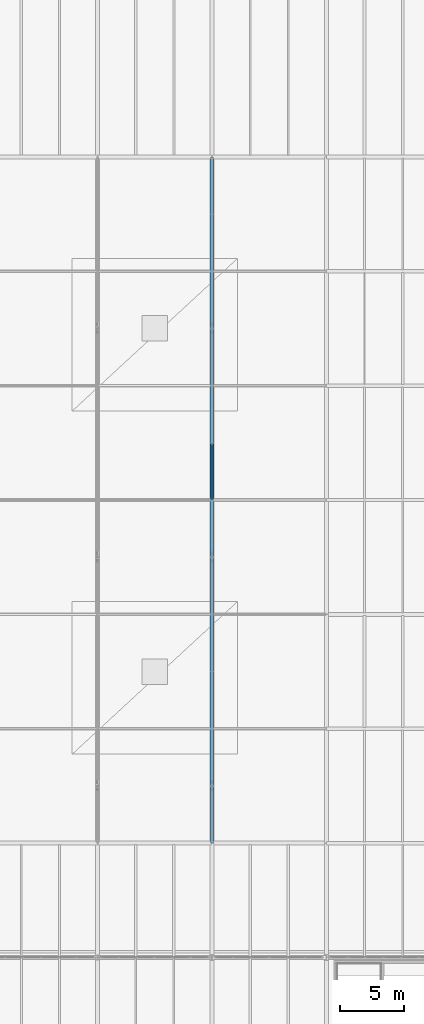
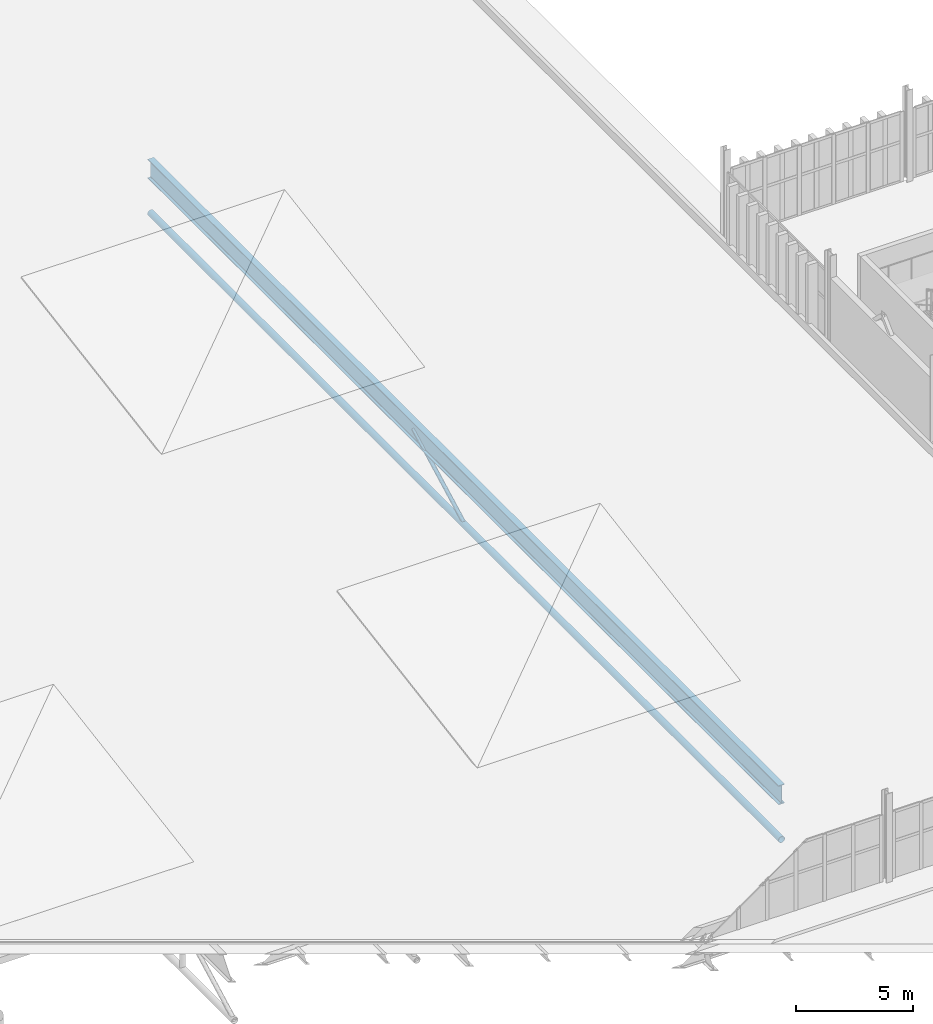
# One storey, part 87 of 196: 2 members, 1 beam.
"""IFC4 building model written with IfcOpenShell, lengths in metres."""

from ifc_helpers import new_model, si_unit, direction, frame, origin, origin_2d, place, context, subcontext, project, spatial, hollow_circle, i_section, extrude, material, material_profile, profile_set, type_object, element, save


model = new_model("IFC4")

# Units and contexts
model_context = context("Model", 3, precision=1e-05, world=origin(), true_north=direction((0.0, 1.0)))
body_context = subcontext(model_context, "Body", "Model", "MODEL_VIEW")
ifc_project = project(units=[si_unit("LENGTHUNIT", "METRE"), si_unit("AREAUNIT", "SQUARE_METRE"), si_unit("VOLUMEUNIT", "CUBIC_METRE"), si_unit("PLANEANGLEUNIT", "RADIAN"), si_unit("MASSUNIT", "GRAM", prefix="KILO")], contexts=[model_context])

# Site, building, storey
site_placement = place(None, origin())
site = spatial("IfcSite", under=ifc_project, at=site_placement, CompositionType="ELEMENT")
building_placement = place(site_placement, origin())
building = spatial("IfcBuilding", under=site, at=building_placement, Name="Barlavento Convention Centre", CompositionType="ELEMENT")
storey_placement = place(building_placement, frame((0.0, 0.0, 18.0)))
storey = spatial("IfcBuildingStorey", under=building, at=storey_placement, Name="L03", CompositionType="ELEMENT", Elevation=18.0)

# Beam
ifc_material_1 = material(Name="Steel S460", Category="steel")
ifc_material_profile_1 = material_profile(ifc_material_1, i_section(OverallWidth=0.300048828125, OverallDepth=1.0, WebThickness=0.01904296875, FlangeThickness=0.035888671875, FilletRadius=0.030029296875, at=origin_2d()), Name="HEB 1000")
ifc_profile_set_1 = profile_set([ifc_material_profile_1], Name="Steel S460")
beam_type = type_object("IfcBeamType", Name="STR-BM-EXH-HEB1000", PredefinedType="BEAM", material=ifc_profile_set_1)
beam_placement = place(storey_placement, frame((108.0, 63.02001953125, -0.844970703125), z_axis=(0.0, 1.0, 0.0), x_axis=(-1.0, 0.0, 0.0)))
element("IfcBeam", 1, at=beam_placement, inside=storey, type_object=beam_type, Name="Exhibition roof space frame top girder", PredefinedType="BEAM", context=body_context, shape_type="SweptSolid", body=[
    extrude(i_section(OverallWidth=0.300048828125, OverallDepth=1.0, WebThickness=0.01904296875, FlangeThickness=0.035888671875, FilletRadius=0.030029296875, at=origin_2d()), origin(), (0.0, 0.0, 1.0), 53.9599609375),
])

# Members
ifc_material_2 = material(Name="Steel S355", Category="steel")
ifc_material_profile_2 = material_profile(ifc_material_2, hollow_circle(Radius=0.161865234375, WallThickness=0.01611328125, at=origin_2d()), Name="CHS 323.9x16.0")
ifc_profile_set_2 = profile_set([ifc_material_profile_2], Name="Steel S355")
member_type_1 = type_object("IfcMemberType", Name="STR-MEM-CHD-CHS323", PredefinedType="CHORD", material=ifc_profile_set_2)
member_1_placement = place(storey_placement, frame((108.0, 63.02001953125, -3.199951171875), z_axis=(0.0, 1.0, 0.0), x_axis=(-1.0, 0.0, 0.0)))
element("IfcMember", 2, at=member_1_placement, inside=storey, type_object=member_type_1, Name="Exhibition space frame bottom chord TC02", PredefinedType="CHORD", context=body_context, shape_type="SweptSolid", body=[
    extrude(hollow_circle(Radius=0.161865234375, WallThickness=0.01611328125, at=origin_2d()), origin(), (0.0, 0.0, 1.0), 53.9599609375),
])
ifc_material_profile_3 = material_profile(ifc_material_2, hollow_circle(Radius=0.096923828125, WallThickness=0.010009765625, at=origin_2d()), Name="CHS 193.7x10.0")
ifc_profile_set_3 = profile_set([ifc_material_profile_3], Name="Steel S355")
member_type_2 = type_object("IfcMemberType", Name="STR-MEM-DIAG-CHS193", PredefinedType="RAFTER", material=ifc_profile_set_3)
member_2_placement = place(storey_placement, frame((108.0, 90.050048828125, -3.199951171875), z_axis=(0.0, 0.883859857229, 0.467751806816), x_axis=(-1.0, 0.0, 0.0)))
element("IfcMember", 3, at=member_2_placement, inside=storey, type_object=member_type_2, Name="Exhibition space frame web diagonal", PredefinedType="RAFTER", context=body_context, shape_type="SweptSolid", body=[
    extrude(hollow_circle(Radius=0.096923828125, WallThickness=0.010009765625, at=origin_2d()), origin(), (0.0, 0.0, 1.0), 5.03466796875),
])

save(model, "model.ifc")
